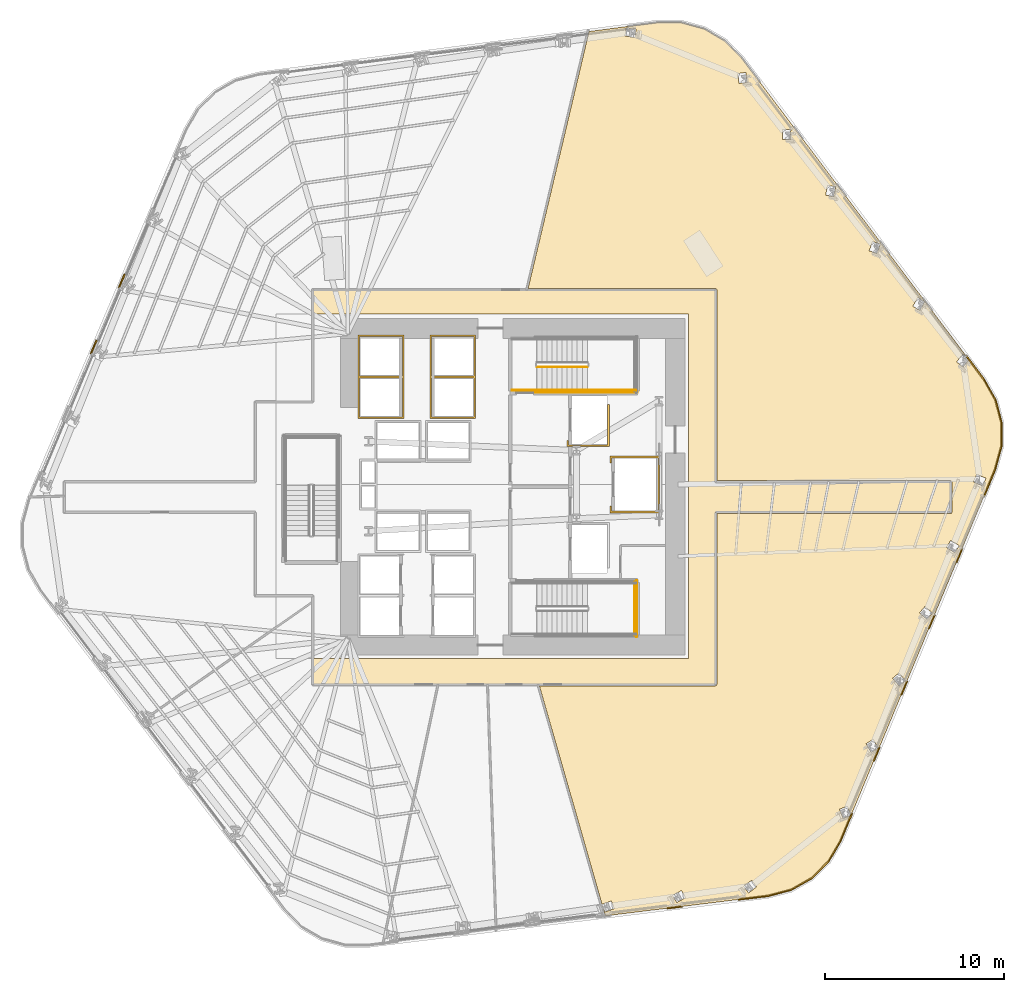
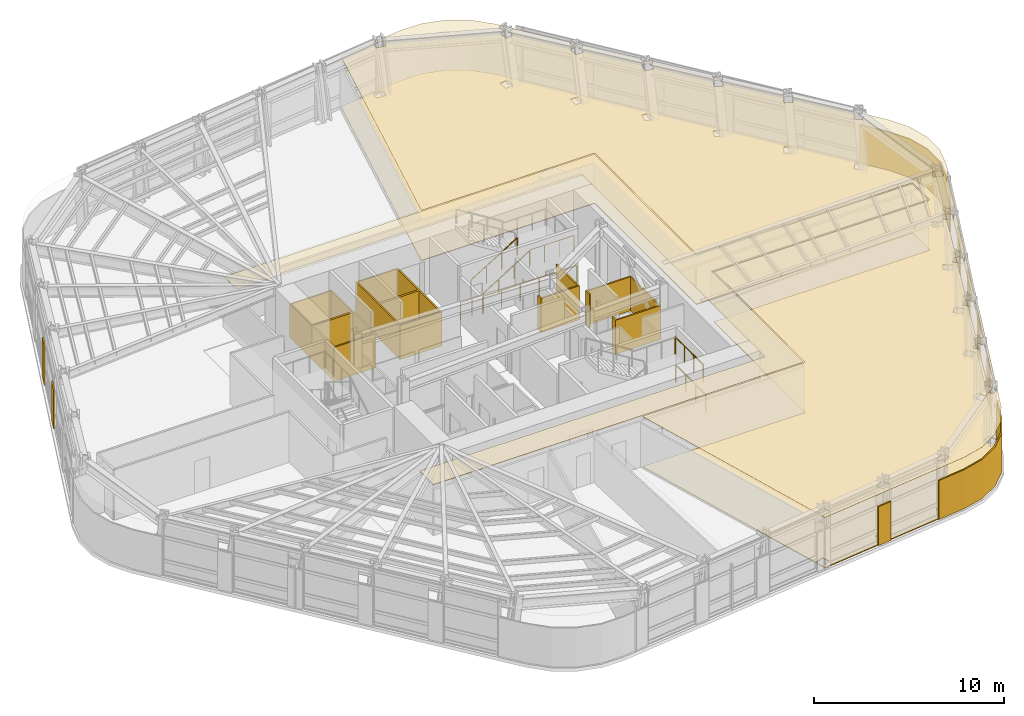
# One storey, part 12 of 16: 16 coverings, 7 railings.
"""IFC4 building model written with IfcOpenShell, lengths in metres."""

import ifcopenshell
import ifcopenshell.guid

model = None  # the IFC model being written
_history = None  # IfcOwnerHistory: only IFC2X3 demands one
_inside = {}  # id of a spatial element -> (the spatial element, [elements in it])
_under = {}  # id of a project, library or spatial element -> (it, [spatial elements below it])
_declared = {}  # id of a project -> (the project, [libraries it declares])
_typed = {}  # id of a type object -> (the type object, [elements of that type])
_made_of = {}  # id of a material, layer set ... -> (it, [elements and type objects made of it])


def new_model(schema):
    """Start an empty IFC model of exactly this schema.

    Asked for "IFC4X3", IfcOpenShell would pick the latest addendum, in which some entities
    have other attributes; the version numbers below select the first issue.
    IFC2X3 requires an IfcOwnerHistory on every rooted entity: one is made here for all.
    """
    global model, _history
    if schema == "IFC4X3":
        model = ifcopenshell.file(schema_version=(4, 3, 0, 0))
    else:
        model = ifcopenshell.file(schema=schema)
    _inside.clear()
    _under.clear()
    _declared.clear()
    _typed.clear()
    _made_of.clear()
    _history = None
    if model.schema == "IFC2X3":
        org = make("IfcOrganization", Name="unknown")
        user = make(
            "IfcPersonAndOrganization",
            ThePerson=make("IfcPerson", FamilyName="unknown"),
            TheOrganization=org,
        )
        app = make(
            "IfcApplication",
            ApplicationDeveloper=org,
            Version="unknown",
            ApplicationFullName="unknown",
            ApplicationIdentifier="unknown",
        )
        _history = make(
            "IfcOwnerHistory",
            OwningUser=user,
            OwningApplication=app,
            ChangeAction="ADDED",
            CreationDate=0,
        )
    return model


def make(cls, **values):
    """One entity of the class cls with the attributes given. An attribute that is None is left unset."""
    return model.create_entity(
        cls, **{name: value for name, value in values.items() if value is not None}
    )


def rooted(cls, **values):
    """An entity with a GlobalId (a new one), such as an element, a storey or a relation."""
    return make(cls, GlobalId=ifcopenshell.guid.new(), OwnerHistory=_history, **values)


def si_unit(unit_type, name, prefix=None):
    """IfcSIUnit, for example si_unit("LENGTHUNIT", "METRE", prefix="MILLI")."""
    return make("IfcSIUnit", UnitType=unit_type, Prefix=prefix, Name=name)


def assignment(units):
    """IfcUnitAssignment: the units of a project."""
    return None if units is None else make("IfcUnitAssignment", Units=units)


def point(xyz):
    """IfcCartesianPoint."""
    return None if xyz is None else make("IfcCartesianPoint", Coordinates=xyz)


def direction(xyz):
    """IfcDirection."""
    return None if xyz is None else make("IfcDirection", DirectionRatios=xyz)


def frame(location, z_axis=None, x_axis=None):
    """IfcAxis2Placement3D, a coordinate frame: its origin and axes. An axis left out is left unset."""
    return make(
        "IfcAxis2Placement3D",
        Location=point(location),
        Axis=direction(z_axis),
        RefDirection=direction(x_axis),
    )


def frame_2d(location, x_axis=None):
    """IfcAxis2Placement2D, a coordinate frame in the plane: its origin and x axis."""
    return make(
        "IfcAxis2Placement2D", Location=point(location), RefDirection=direction(x_axis)
    )


def origin():
    """The frame at (0, 0, 0) with its axes left unset."""
    return frame((0.0, 0.0, 0.0))


def origin_2d():
    """The frame at (0, 0) in the plane with its x axis left unset."""
    return frame_2d((0.0, 0.0))


def place(relative_to, where):
    """IfcLocalPlacement: puts the frame where relative to a parent placement (None: the world)."""
    return make(
        "IfcLocalPlacement", PlacementRelTo=relative_to, RelativePlacement=where
    )


def context(
    kind, dimensions, precision=None, world=None, true_north=None, identifier=None
):
    """IfcGeometricRepresentationContext, for example the 3D "Model" context."""
    return make(
        "IfcGeometricRepresentationContext",
        ContextIdentifier=identifier,
        ContextType=kind,
        CoordinateSpaceDimension=dimensions,
        Precision=precision,
        WorldCoordinateSystem=world,
        TrueNorth=true_north,
    )


def subcontext(parent, identifier, kind, view, scale=None):
    """IfcGeometricRepresentationSubContext, for example "Body" below "Model"."""
    return make(
        "IfcGeometricRepresentationSubContext",
        ContextIdentifier=identifier,
        ContextType=kind,
        ParentContext=parent,
        TargetScale=scale,
        TargetView=view,
    )


def project(units=None, contexts=None):
    """IfcProject with its units and contexts."""
    return rooted(
        "IfcProject",
        Name="project",
        RepresentationContexts=contexts,
        UnitsInContext=assignment(units),
    )


def spatial(cls, under=None, at=None, **own):
    """A site, building, storey or space (cls), placed at a placement, below another one or the project."""
    s = rooted(cls, ObjectPlacement=at, **own)
    if under is not None:
        _under.setdefault(under.id(), (under, []))[1].append(s)
    return s


def polyline(points):
    """IfcPolyline through the points."""
    return make("IfcPolyline", Points=[point(p) for p in points])


def profile(cls, at=None, kind="AREA", **sizes):
    """A parametric profile (cls). Its sizes go by their IFC names, for example OverallWidth=200.0."""
    return make(cls, ProfileType=kind, Position=at, **sizes)


def circle(**sizes):
    """IfcCircleProfileDef."""
    return profile("IfcCircleProfileDef", **sizes)


def outline(outer, holes=None, kind="AREA"):
    """IfcArbitraryClosedProfileDef: a profile drawn as a closed curve; with holes, ...WithVoids."""
    if holes is None:
        return make("IfcArbitraryClosedProfileDef", ProfileType=kind, OuterCurve=outer)
    return make(
        "IfcArbitraryProfileDefWithVoids",
        ProfileType=kind,
        OuterCurve=outer,
        InnerCurves=holes,
    )


def extrude(swept, where, along, depth):
    """IfcExtrudedAreaSolid: the profile swept, set in the frame where, extruded along a direction by depth."""
    return make(
        "IfcExtrudedAreaSolid",
        SweptArea=swept,
        Position=where,
        ExtrudedDirection=direction(along),
        Depth=depth,
    )


def shape(context_of_items, identifier, shape_type, items):
    """IfcShapeRepresentation: the items that make up one representation, for example the "Body"."""
    return make(
        "IfcShapeRepresentation",
        ContextOfItems=context_of_items,
        RepresentationIdentifier=identifier,
        RepresentationType=shape_type,
        Items=items,
    )


def material(Name=None, Category=None):
    """IfcMaterial."""
    return make("IfcMaterial", Name=Name, Category=Category)


def layer(
    of_material, thickness, ventilated=None, Name=None, Category=None, Priority=None
):
    """IfcMaterialLayer: one layer of a wall or slab, of a material (None: an air gap)."""
    return make(
        "IfcMaterialLayer",
        Material=of_material,
        LayerThickness=thickness,
        IsVentilated=ventilated,
        Name=Name,
        Category=Category,
        Priority=Priority,
    )


def layer_set(layers, Name=None):
    """IfcMaterialLayerSet."""
    return make("IfcMaterialLayerSet", MaterialLayers=layers, LayerSetName=Name)


def made_of(thing, what):
    """Note that an element or type object is made of a material, layer set ...; save() writes the relation."""
    if what is not None:
        _made_of.setdefault(what.id(), (what, []))[1].append(thing)
    return thing


def type_object(cls, material=None, **own):
    """A type object (cls), such as IfcWallType, which elements share."""
    return made_of(rooted(cls, **own), material)


def element(
    cls,
    number,
    at=None,
    inside=None,
    cuts=None,
    type_object=None,
    material=None,
    context=None,
    identifier="Body",
    shape_type=None,
    held_by="IfcProductDefinitionShape",
    body=None,
    shapes=None,
    **own,
):
    """One element of the class cls, such as IfcWall. Its Tag is "e" and its number.

    at: its placement. inside: the storey or other place that contains it. cuts: it is an
    opening in that element (IfcRelVoidsElement). A single representation is given by context,
    identifier, shape_type and body (its items); several are given by shapes. held_by: the class
    of the entity that holds the representations. save() writes the other relations.
    """
    e = rooted(cls, Tag="e%d" % number, ObjectPlacement=at, **own)
    if body is not None:
        shapes = [shape(context, identifier, shape_type, body)]
    if shapes is not None:
        e.Representation = make(held_by, Representations=shapes)
    if inside is not None:
        _inside.setdefault(inside.id(), (inside, []))[1].append(e)
    if cuts is not None:
        rooted(
            "IfcRelVoidsElement", RelatingBuildingElement=cuts, RelatedOpeningElement=e
        )
    if type_object is not None:
        _typed.setdefault(type_object.id(), (type_object, []))[1].append(e)
    return made_of(e, material)


def aggregate(whole, parts):
    """IfcRelAggregates: a whole, such as a stair, and the parts it consists of."""
    return rooted("IfcRelAggregates", RelatingObject=whole, RelatedObjects=parts)


def save(model, path):
    """Write the relations noted so far, then the file.

    IfcRelAggregates (storeys below a building ...), IfcRelContainedInSpatialStructure (elements
    in a storey), IfcRelDefinesByType, IfcRelAssociatesMaterial and IfcRelDeclares: one each for
    every whole, place, type object, material and project.
    """
    for whole, parts in _under.values():
        aggregate(whole, parts)
    for where, things in _inside.values():
        rooted(
            "IfcRelContainedInSpatialStructure",
            RelatedElements=things,
            RelatingStructure=where,
        )
    for kind, things in _typed.values():
        rooted("IfcRelDefinesByType", RelatedObjects=things, RelatingType=kind)
    for what, things in _made_of.values():
        rooted("IfcRelAssociatesMaterial", RelatedObjects=things, RelatingMaterial=what)
    for by, libraries in _declared.values():
        rooted("IfcRelDeclares", RelatingContext=by, RelatedDefinitions=libraries)
    model.write(path)


model = new_model("IFC4")

# Units and contexts
model_context = context("Model", 3, precision=1e-05, world=origin(), true_north=direction((0.0, 1.0)))
body_context = subcontext(model_context, "Body", "Model", "MODEL_VIEW")
ifc_project = project(units=[si_unit("LENGTHUNIT", "METRE"), si_unit("AREAUNIT", "SQUARE_METRE"), si_unit("VOLUMEUNIT", "CUBIC_METRE"), si_unit("PLANEANGLEUNIT", "RADIAN"), si_unit("MASSUNIT", "GRAM", prefix="KILO")], contexts=[model_context])

# Site, building, storey
site_placement = place(None, origin())
site = spatial("IfcSite", under=ifc_project, at=site_placement, CompositionType="ELEMENT")
building_placement = place(site_placement, origin())
building = spatial("IfcBuilding", under=site, at=building_placement, Name="Valkerne Bourse Tower", CompositionType="ELEMENT")
storey_placement = place(building_placement, frame((0.0, 0.0, 54.39990234375)))
storey = spatial("IfcBuildingStorey", under=building, at=storey_placement, Name="L13", CompositionType="ELEMENT", Elevation=54.39990234375)

# Coverings
ifc_material_1 = material(Name="Mineral Fiber Acoustic Ceiling Tile", Category="acoustic")
ifc_layer_1 = layer(ifc_material_1, 0.02490234375)
ifc_layer_set_1 = layer_set([ifc_layer_1], Name="Mineral Fiber Acoustic Ceiling Tile")
covering_type_1 = type_object("IfcCoveringType", Name="COV-CEIL-ACT", PredefinedType="CEILING", material=ifc_layer_set_1)
covering_1_placement = place(storey_placement, frame((0.0, 0.0, 3.22998046875)))
element("IfcCovering", 1, at=covering_1_placement, inside=storey, type_object=covering_type_1, Name="L13 Suspended Ceiling 08", PredefinedType="CEILING", context=body_context, shape_type="SweptSolid", body=[
    extrude(outline(polyline([(62.306640625, 4.406982421875), (61.021240234375, 4.069580078125), (51.955322265625, 2.95751953125), (51.771484375, 3.598876953125), (51.9248046875, 3.168212890625), (51.927978515625, 3.1689453125), (52.44970703125, 3.355224609375), (52.29638671875, 3.786376953125), (52.29296875, 3.78564453125), (51.771484375, 3.599365234375), (48.2783203125, 15.781005859375), (58.1005859375, 15.781005859375), (58.130126953125, 15.787841796875), (58.158935546875, 15.81396484375), (58.1689453125, 15.849365234375), (58.1689453125, 25.381103515625), (71.2099609375, 25.381591796875), (71.2509765625, 25.403076171875), (71.268798828125, 25.446533203125), (71.266845703125, 27.16748046875), (71.24169921875, 27.205322265625), (71.20068359375, 27.218994140625), (58.1689453125, 27.218994140625), (58.1689453125, 37.850830078125), (58.151123046875, 37.896484375), (58.12890625, 37.91259765625), (58.100341796875, 37.9189453125), (47.64892578125, 37.9189453125), (51.0458984375, 52.249267578125), (54.871826171875, 52.74658203125), (56.20068359375, 52.739501953125), (57.4736328125, 52.391357421875), (58.61279296875, 51.7255859375), (59.547607421875, 50.78125), (72.1328125, 34.076171875), (71.880859375, 34.27001953125), (71.539794921875, 33.831787109375), (71.540771484375, 33.827880859375), (71.902099609375, 33.550048828125), (72.220703125, 33.95947265625), (73.040283203125, 32.87158203125), (73.698974609375, 31.716796875), (74.033935546875, 30.4404296875), (74.027099609375, 29.120849609375), (73.676025390625, 27.838623046875), (65.061279296875, 7.13623046875), (64.390625, 5.98876953125), (63.452880859375, 5.060791015625), (62.306640625, 4.406982421875)]), holes=[polyline([(53.66845703125, 52.3740234375), (53.664794921875, 52.375), (53.116455078125, 52.448974609375), (53.054443359375, 51.99560546875), (53.05810546875, 51.99462890625), (53.606689453125, 51.920654296875), (53.66845703125, 52.3740234375)]), polyline([(56.42236328125, 3.96533203125), (56.20166015625, 4.3662109375), (56.198486328125, 4.36474609375), (55.713623046875, 4.097412109375), (55.93408203125, 3.6962890625), (55.9375, 3.69775390625), (56.42236328125, 3.96533203125)]), polyline([(59.9462890625, 4.236083984375), (60.385498046875, 4.572998046875), (60.107666015625, 4.936279296875), (60.104248046875, 4.9345703125), (59.6650390625, 4.597900390625), (59.94287109375, 4.234375), (59.9462890625, 4.236083984375)]), polyline([(65.6455078125, 8.552734375), (65.648193359375, 8.555419921875), (65.436279296875, 9.069580078125), (65.014404296875, 8.897705078125), (65.01171875, 8.89501953125), (65.2236328125, 8.380859375), (65.6455078125, 8.552734375)]), polyline([(67.168701171875, 12.30859375), (66.8828125, 12.78564453125), (66.4912109375, 12.552978515625), (66.489013671875, 12.550048828125), (66.77490234375, 12.072998046875), (67.16650390625, 12.305908203125), (67.168701171875, 12.30859375)]), polyline([(68.680908203125, 16.06591796875), (68.6826171875, 16.069091796875), (68.323486328125, 16.493896484375), (67.974365234375, 16.201171875), (67.972900390625, 16.197998046875), (68.331787109375, 15.773193359375), (68.680908203125, 16.06591796875)]), polyline([(70.18603515625, 19.82958984375), (70.187255859375, 19.832763671875), (69.762939453125, 20.1923828125), (69.467041015625, 19.845947265625), (69.466064453125, 19.842529296875), (69.89013671875, 19.48291015625), (70.18603515625, 19.82958984375)]), polyline([(71.68212890625, 23.594970703125), (71.20556640625, 23.881591796875), (70.96923828125, 23.4921875), (70.96875, 23.48876953125), (71.4453125, 23.201904296875), (71.681640625, 23.591552734375), (71.68212890625, 23.594970703125)]), polyline([(73.169189453125, 27.347900390625), (73.169189453125, 27.351806640625), (72.6552734375, 27.564208984375), (72.4794921875, 27.144287109375), (72.4794921875, 27.140380859375), (72.993408203125, 26.927978515625), (73.169189453125, 27.347900390625)]), polyline([(69.767578125, 37.193359375), (69.36865234375, 37.41455078125), (69.0966796875, 36.93017578125), (69.098388671875, 36.9267578125), (69.4970703125, 36.70556640625), (69.76904296875, 37.190185546875), (69.767578125, 37.193359375)]), polyline([(67.28515625, 40.392578125), (67.283203125, 40.395751953125), (66.85400390625, 40.5498046875), (66.663818359375, 40.02783203125), (66.66552734375, 40.02490234375), (67.094970703125, 39.87060546875), (67.28515625, 40.392578125)]), polyline([(64.792236328125, 43.591796875), (64.7900390625, 43.59423828125), (64.341064453125, 43.67529296875), (64.239501953125, 43.129150390625), (64.241943359375, 43.126708984375), (64.69091796875, 43.04541015625), (64.792236328125, 43.591796875)]), polyline([(62.290283203125, 46.785400390625), (61.83447265625, 46.79345703125), (61.822021484375, 46.238037109375), (61.82470703125, 46.235595703125), (62.28076171875, 46.227783203125), (62.293212890625, 46.783203125), (62.290283203125, 46.785400390625)]), polyline([(59.86181640625, 49.414306640625), (59.79150390625, 49.96533203125), (59.788330078125, 49.96728515625), (59.336181640625, 49.906982421875), (59.406494140625, 49.356201171875), (59.409912109375, 49.354248046875), (59.86181640625, 49.414306640625)])]), origin(), (0.0, 0.0, 1.0), 0.025146484375),
])
ifc_material_2 = material(Name="Bronze Anodised Aluminium AA 6063-T6", Category="aluminium")
ifc_layer_2 = layer(ifc_material_2, 0.030029296875)
ifc_layer_set_2 = layer_set([ifc_layer_2], Name="Bronze Anodised Aluminium AA 6063-T6")
covering_type_2 = type_object("IfcCoveringType", Name="COV-CEIL-METAL", PredefinedType="CEILING", material=ifc_layer_set_2)
covering_2_placement = place(storey_placement, frame((0.0, 0.0, 3.22998046875)))
element("IfcCovering", 2, at=covering_2_placement, inside=storey, type_object=covering_type_2, Name="L13 Suspended Ceiling 01", PredefinedType="CEILING", context=body_context, shape_type="SweptSolid", body=[
    extrude(outline(polyline([(71.196044921875, 27.14599609375), (71.196044921875, 25.4541015625), (58.095947265625, 25.4541015625), (58.095947265625, 15.85400390625), (35.654052734375, 15.85400390625), (35.654052734375, 17.300048828125), (56.60009765625, 17.300048828125), (56.60009765625, 36.5), (35.654052734375, 36.5), (35.654052734375, 37.845947265625), (58.095947265625, 37.845947265625), (58.095947265625, 27.14599609375), (71.196044921875, 27.14599609375)])), origin(), (0.0, 0.0, 1.0), 0.025146484375),
])
ifc_layer_3 = layer(ifc_material_2, 0.06005859375)
ifc_layer_set_3 = layer_set([ifc_layer_3], Name="Bronze Anodised Aluminium AA 6063-T6")
covering_type_3 = type_object("IfcCoveringType", Name="COV-CRN-ALUM", PredefinedType="CLADDING", material=ifc_layer_set_3)
covering_3_placement = place(storey_placement, origin())
element("IfcCovering", 3, at=covering_3_placement, inside=storey, type_object=covering_type_3, Name="L13 Wind-Shaped Corner Aluminium Cladding 01", PredefinedType="CLADDING", context=body_context, shape_type="SweptSolid", body=[
    extrude(outline(polyline([(64.42578125, 5.961669921875), (63.479736328125, 5.025390625), (62.323486328125, 4.36572265625), (61.029541015625, 4.0263671875), (59.3740234375, 3.8232421875), (59.364013671875, 3.902587890625), (61.0146484375, 4.105224609375), (62.29296875, 4.4404296875), (63.430908203125, 5.089599609375), (64.362060546875, 6.010986328125), (65.02880859375, 7.152099609375), (65.667724609375, 8.6875), (65.741455078125, 8.656494140625), (65.1005859375, 7.116455078125), (64.42578125, 5.961669921875)])), origin(), (0.0, 0.0, 1.0), 2.5),
])
covering_4_placement = place(storey_placement, origin())
element("IfcCovering", 4, at=covering_4_placement, inside=storey, type_object=covering_type_3, Name="L13 Wind-Shaped Corner Aluminium Cladding 02", PredefinedType="CLADDING", context=body_context, shape_type="SweptSolid", body=[
    extrude(outline(polyline([(55.40771484375, 3.3369140625), (55.397705078125, 3.416015625), (56.2314453125, 3.518310546875), (56.241455078125, 3.439208984375), (55.40771484375, 3.3369140625)])), origin(), (0.0, 0.0, 1.0), 2.5),
])
covering_5_placement = place(storey_placement, origin())
element("IfcCovering", 5, at=covering_5_placement, inside=storey, type_object=covering_type_3, Name="L13 Wind-Shaped Corner Aluminium Cladding 13", PredefinedType="CLADDING", context=body_context, shape_type="SweptSolid", body=[
    extrude(outline(polyline([(23.56494140625, 35.055419921875), (23.638671875, 35.0244140625), (23.310302734375, 34.251220703125), (23.23681640625, 34.2822265625), (23.56494140625, 35.055419921875)])), origin(), (0.0, 0.0, 1.0), 2.5),
])
covering_6_placement = place(storey_placement, origin())
element("IfcCovering", 6, at=covering_6_placement, inside=storey, type_object=covering_type_3, Name="L13 Wind-Shaped Corner Aluminium Cladding 14", PredefinedType="CLADDING", context=body_context, shape_type="SweptSolid", body=[
    extrude(outline(polyline([(25.126708984375, 38.7333984375), (25.200439453125, 38.702392578125), (24.872314453125, 37.929443359375), (24.79833984375, 37.96044921875), (25.126708984375, 38.7333984375)])), origin(), (0.0, 0.0, 1.0), 2.5),
])
covering_7_placement = place(storey_placement, origin())
element("IfcCovering", 7, at=covering_7_placement, inside=storey, type_object=covering_type_3, Name="L13 Wind-Shaped Corner Aluminium Cladding 26", PredefinedType="CLADDING", context=body_context, shape_type="SweptSolid", body=[
    extrude(outline(polyline([(73.0771484375, 32.895751953125), (73.739990234375, 31.733642578125), (74.077880859375, 30.446044921875), (74.071044921875, 29.114990234375), (73.7177734375, 27.82421875), (73.09521484375, 26.327880859375), (73.021240234375, 26.35888671875), (73.64208984375, 27.850341796875), (73.990966796875, 29.125732421875), (73.997802734375, 30.435791015625), (73.665283203125, 31.703125), (73.01025390625, 32.8515625), (72.0380859375, 34.14208984375), (72.101806640625, 34.1904296875), (73.0771484375, 32.895751953125)])), origin(), (0.0, 0.0, 1.0), 2.5),
])
covering_8_placement = place(storey_placement, origin())
element("IfcCovering", 8, at=covering_8_placement, inside=storey, type_object=covering_type_3, Name="L13 Wind-Shaped Corner Aluminium Cladding 27", PredefinedType="CLADDING", context=body_context, shape_type="SweptSolid", body=[
    extrude(outline(polyline([(71.559814453125, 22.638427734375), (71.486083984375, 22.66943359375), (71.808837890625, 23.44482421875), (71.882568359375, 23.413818359375), (71.559814453125, 22.638427734375)])), origin(), (0.0, 0.0, 1.0), 2.5),
])
covering_9_placement = place(storey_placement, origin())
element("IfcCovering", 9, at=covering_9_placement, inside=storey, type_object=covering_type_3, Name="L13 Wind-Shaped Corner Aluminium Cladding 28", PredefinedType="CLADDING", context=body_context, shape_type="SweptSolid", body=[
    extrude(outline(polyline([(70.024658203125, 18.94921875), (69.95068359375, 18.97998046875), (70.2734375, 19.755615234375), (70.347412109375, 19.724609375), (70.024658203125, 18.94921875)])), origin(), (0.0, 0.0, 1.0), 2.5),
])
covering_10_placement = place(storey_placement, origin())
element("IfcCovering", 10, at=covering_10_placement, inside=storey, type_object=covering_type_3, Name="L13 Wind-Shaped Corner Aluminium Cladding 29", PredefinedType="CLADDING", context=body_context, shape_type="SweptSolid", body=[
    extrude(outline(polyline([(68.4892578125, 15.259765625), (68.41552734375, 15.290771484375), (68.73828125, 16.066162109375), (68.81201171875, 16.03515625), (68.4892578125, 15.259765625)])), origin(), (0.0, 0.0, 1.0), 2.5),
])
covering_11_placement = place(storey_placement, origin())
element("IfcCovering", 11, at=covering_11_placement, inside=storey, type_object=covering_type_3, Name="L13 Wind-Shaped Corner Aluminium Cladding 30", PredefinedType="CLADDING", context=body_context, shape_type="SweptSolid", body=[
    extrude(outline(polyline([(66.9541015625, 11.5703125), (66.88037109375, 11.601318359375), (67.202880859375, 12.376953125), (67.27685546875, 12.345947265625), (66.9541015625, 11.5703125)])), origin(), (0.0, 0.0, 1.0), 2.5),
])
ifc_material_3 = material(Name="Galvanised Painted Steel", Category="steel")
ifc_layer_4 = layer(ifc_material_3, 0.044921875)
ifc_layer_set_4 = layer_set([ifc_layer_4], Name="Galvanised Painted Steel")
covering_type_4 = type_object("IfcCoveringType", Name="COV-FLR-RAF", PredefinedType="FLOORING", material=ifc_layer_set_4)
covering_12_placement = place(storey_placement, origin())
element("IfcCovering", 12, at=covering_12_placement, inside=storey, type_object=covering_type_4, Name="L13 Floor Finish 08", PredefinedType="FLOORING", context=body_context, shape_type="SweptSolid", body=[
    extrude(outline(polyline([(62.306640625, 4.406982421875), (61.021240234375, 4.069580078125), (51.955322265625, 2.95751953125), (51.771484375, 3.598876953125), (51.9248046875, 3.168212890625), (51.927978515625, 3.1689453125), (52.44970703125, 3.355224609375), (52.29638671875, 3.786376953125), (52.29296875, 3.78564453125), (51.771484375, 3.599365234375), (48.2783203125, 15.781005859375), (58.1005859375, 15.781005859375), (58.130126953125, 15.787841796875), (58.158935546875, 15.81396484375), (58.1689453125, 15.849365234375), (58.1689453125, 25.381103515625), (71.2099609375, 25.381591796875), (71.2509765625, 25.403076171875), (71.268798828125, 25.446533203125), (71.266845703125, 27.16748046875), (71.24169921875, 27.205322265625), (71.20068359375, 27.218994140625), (58.1689453125, 27.218994140625), (58.1689453125, 37.850830078125), (58.151123046875, 37.896484375), (58.12890625, 37.91259765625), (58.100341796875, 37.9189453125), (47.64892578125, 37.9189453125), (51.0458984375, 52.249267578125), (54.871826171875, 52.74658203125), (56.20068359375, 52.739501953125), (57.4736328125, 52.391357421875), (58.61279296875, 51.7255859375), (59.547607421875, 50.78125), (72.1328125, 34.076171875), (71.880859375, 34.27001953125), (71.539794921875, 33.831787109375), (71.540771484375, 33.827880859375), (71.902099609375, 33.550048828125), (72.220703125, 33.95947265625), (73.040283203125, 32.87158203125), (73.698974609375, 31.716796875), (74.033935546875, 30.4404296875), (74.027099609375, 29.120849609375), (73.676025390625, 27.838623046875), (65.061279296875, 7.13623046875), (64.390625, 5.98876953125), (63.452880859375, 5.060791015625), (62.306640625, 4.406982421875)]), holes=[polyline([(53.66845703125, 52.3740234375), (53.664794921875, 52.375), (53.116455078125, 52.448974609375), (53.054443359375, 51.99560546875), (53.05810546875, 51.99462890625), (53.606689453125, 51.920654296875), (53.66845703125, 52.3740234375)]), polyline([(56.42236328125, 3.96533203125), (56.20166015625, 4.3662109375), (56.198486328125, 4.36474609375), (55.713623046875, 4.097412109375), (55.93408203125, 3.6962890625), (55.9375, 3.69775390625), (56.42236328125, 3.96533203125)]), polyline([(59.9462890625, 4.236083984375), (60.385498046875, 4.572998046875), (60.107666015625, 4.936279296875), (60.104248046875, 4.9345703125), (59.6650390625, 4.597900390625), (59.94287109375, 4.234375), (59.9462890625, 4.236083984375)]), polyline([(65.6455078125, 8.552734375), (65.648193359375, 8.555419921875), (65.436279296875, 9.069580078125), (65.014404296875, 8.897705078125), (65.01171875, 8.89501953125), (65.2236328125, 8.380859375), (65.6455078125, 8.552734375)]), polyline([(67.168701171875, 12.30859375), (66.8828125, 12.78564453125), (66.4912109375, 12.552978515625), (66.489013671875, 12.550048828125), (66.77490234375, 12.072998046875), (67.16650390625, 12.305908203125), (67.168701171875, 12.30859375)]), polyline([(68.680908203125, 16.06591796875), (68.6826171875, 16.069091796875), (68.323486328125, 16.493896484375), (67.974365234375, 16.201171875), (67.972900390625, 16.197998046875), (68.331787109375, 15.773193359375), (68.680908203125, 16.06591796875)]), polyline([(70.18603515625, 19.82958984375), (70.187255859375, 19.832763671875), (69.762939453125, 20.1923828125), (69.467041015625, 19.845947265625), (69.466064453125, 19.842529296875), (69.89013671875, 19.48291015625), (70.18603515625, 19.82958984375)]), polyline([(71.68212890625, 23.594970703125), (71.20556640625, 23.881591796875), (70.96923828125, 23.4921875), (70.96875, 23.48876953125), (71.4453125, 23.201904296875), (71.681640625, 23.591552734375), (71.68212890625, 23.594970703125)]), polyline([(73.169189453125, 27.347900390625), (73.169189453125, 27.351806640625), (72.6552734375, 27.564208984375), (72.4794921875, 27.144287109375), (72.4794921875, 27.140380859375), (72.993408203125, 26.927978515625), (73.169189453125, 27.347900390625)]), polyline([(69.767578125, 37.193359375), (69.36865234375, 37.41455078125), (69.0966796875, 36.93017578125), (69.098388671875, 36.9267578125), (69.4970703125, 36.70556640625), (69.76904296875, 37.190185546875), (69.767578125, 37.193359375)]), polyline([(67.28515625, 40.392578125), (67.283203125, 40.395751953125), (66.85400390625, 40.5498046875), (66.663818359375, 40.02783203125), (66.66552734375, 40.02490234375), (67.094970703125, 39.87060546875), (67.28515625, 40.392578125)]), polyline([(64.792236328125, 43.591796875), (64.7900390625, 43.59423828125), (64.341064453125, 43.67529296875), (64.239501953125, 43.129150390625), (64.241943359375, 43.126708984375), (64.69091796875, 43.04541015625), (64.792236328125, 43.591796875)]), polyline([(62.290283203125, 46.785400390625), (61.83447265625, 46.79345703125), (61.822021484375, 46.238037109375), (61.82470703125, 46.235595703125), (62.28076171875, 46.227783203125), (62.293212890625, 46.783203125), (62.290283203125, 46.785400390625)]), polyline([(59.86181640625, 49.414306640625), (59.79150390625, 49.96533203125), (59.788330078125, 49.96728515625), (59.336181640625, 49.906982421875), (59.406494140625, 49.356201171875), (59.409912109375, 49.354248046875), (59.86181640625, 49.414306640625)])]), origin(), (0.0, 0.0, 1.0), 0.045166015625),
])
ifc_material_4 = material(Name="Gypsum Shaftwall Liner Board", Category="gypsum")
ifc_layer_5 = layer(ifc_material_4, 0.080078125)
ifc_layer_set_5 = layer_set([ifc_layer_5], Name="Gypsum Shaftwall Liner Board")
covering_type_5 = type_object("IfcCoveringType", Name="COV-SHF-CLAD", PredefinedType="CLADDING", material=ifc_layer_set_5)
covering_13_placement = place(storey_placement, origin())
element("IfcCovering", 13, at=covering_13_placement, inside=storey, type_object=covering_type_5, Name="L13 Hoistway & Riser Shaftwall Liner 05", PredefinedType="CLADDING", context=body_context, shape_type="SweptSolid", body=[
    extrude(outline(polyline([(38.169921875, 35.330078125), (40.72998046875, 35.330078125), (40.72998046875, 33.030029296875), (40.72998046875, 32.969970703125), (40.72998046875, 30.669921875), (38.169921875, 30.669921875), (38.169921875, 32.969970703125), (38.169921875, 33.030029296875), (38.169921875, 35.330078125)]), holes=[polyline([(38.260009765625, 32.93994140625), (38.260009765625, 30.760009765625), (40.639892578125, 30.760009765625), (40.639892578125, 32.93994140625), (38.260009765625, 32.93994140625)]), polyline([(38.260009765625, 35.239990234375), (38.260009765625, 33.06005859375), (40.639892578125, 33.06005859375), (40.639892578125, 35.239990234375), (38.260009765625, 35.239990234375)])]), origin(), (0.0, 0.0, 1.0), 2.18017578125),
])
covering_14_placement = place(storey_placement, origin())
element("IfcCovering", 14, at=covering_14_placement, inside=storey, type_object=covering_type_5, Name="L13 Hoistway & Riser Shaftwall Liner 08", PredefinedType="CLADDING", context=body_context, shape_type="SweptSolid", body=[
    extrude(outline(polyline([(54.97998046875, 25.419921875), (52.219970703125, 25.419921875), (52.219970703125, 25.81787109375), (52.227783203125, 25.814208984375), (52.269287109375, 25.79931640625), (52.31005859375, 25.789306640625), (52.31005859375, 25.510009765625), (54.889892578125, 25.510009765625), (54.889892578125, 28.489990234375), (52.31005859375, 28.489990234375), (52.31005859375, 28.210693359375), (52.269287109375, 28.20068359375), (52.227783203125, 28.185791015625), (52.219970703125, 28.18212890625), (52.219970703125, 28.580078125), (54.97998046875, 28.580078125), (54.97998046875, 25.419921875)])), origin(), (0.0, 0.0, 1.0), 2.18017578125),
])
covering_15_placement = place(storey_placement, origin())
element("IfcCovering", 15, at=covering_15_placement, inside=storey, type_object=covering_type_5, Name="L13 Hoistway & Riser Shaftwall Liner 10", PredefinedType="CLADDING", context=body_context, shape_type="SweptSolid", body=[
    extrude(outline(polyline([(49.820068359375, 29.1201171875), (49.820068359375, 29.468017578125), (49.827880859375, 29.46435546875), (49.869384765625, 29.449462890625), (49.909912109375, 29.439208984375), (49.909912109375, 29.2099609375), (52.090087890625, 29.2099609375), (52.090087890625, 31.449951171875), (52.179931640625, 31.449951171875), (52.179931640625, 29.1201171875), (49.820068359375, 29.1201171875)])), origin(), (0.0, 0.0, 1.0), 2.18017578125),
])
covering_16_placement = place(storey_placement, origin())
element("IfcCovering", 16, at=covering_16_placement, inside=storey, type_object=covering_type_5, Name="L13 Hoistway & Riser Shaftwall Liner 11", PredefinedType="CLADDING", context=body_context, shape_type="SweptSolid", body=[
    extrude(outline(polyline([(44.72998046875, 35.330078125), (44.72998046875, 33.030029296875), (44.72998046875, 32.969970703125), (44.72998046875, 30.669921875), (42.169921875, 30.669921875), (42.169921875, 32.969970703125), (42.169921875, 33.030029296875), (42.169921875, 35.330078125), (44.72998046875, 35.330078125)]), holes=[polyline([(42.260009765625, 30.760009765625), (44.639892578125, 30.760009765625), (44.639892578125, 32.93994140625), (42.260009765625, 32.93994140625), (42.260009765625, 30.760009765625)]), polyline([(42.260009765625, 33.06005859375), (44.639892578125, 33.06005859375), (44.639892578125, 35.239990234375), (42.260009765625, 35.239990234375), (42.260009765625, 33.06005859375)])]), origin(), (0.0, 0.0, 1.0), 2.18017578125),
])

# Railings
railing_type_1 = type_object("IfcRailingType", Name="RLG-ST-GUARD-1120", PredefinedType="GUARDRAIL", material=ifc_material_3)
railing_1_placement = place(storey_placement, frame((53.60009765625, 18.60009765625, 1.900146484375)))
element("IfcRailing", 17, at=railing_1_placement, inside=storey, type_object=railing_type_1, Name="L13 ST-1 stair guard 5", PredefinedType="GUARDRAIL", context=body_context, shape_type="SweptSolid", body=[
    extrude(circle(Radius=0.02392578125, at=origin_2d()), frame((0.0, 0.0, 1.09619140625), z_axis=(0.0, 1.0, 0.0), x_axis=(-1.0, 0.0, 0.0)), (0.0, 0.0, 1.0), 2.949951171875),
    extrude(circle(Radius=0.02099609375, at=origin_2d()), origin(), (0.0, 0.0, 1.0), 1.072021484375),
    extrude(circle(Radius=0.02099609375, at=origin_2d()), frame((0.0, 0.9833984375, 0.0)), (0.0, 0.0, 1.0), 1.072021484375),
    extrude(circle(Radius=0.02099609375, at=origin_2d()), frame((0.0, 1.966552734375, 0.0)), (0.0, 0.0, 1.0), 1.072021484375),
    extrude(circle(Radius=0.02099609375, at=origin_2d()), frame((0.0, 2.949951171875, 0.0)), (0.0, 0.0, 1.0), 1.072021484375),
])
railing_2_placement = place(storey_placement, frame((53.699951171875, 18.5, 0.0)))
element("IfcRailing", 18, at=railing_2_placement, inside=storey, type_object=railing_type_1, Name="L13 ST-1 stair guard 12", PredefinedType="GUARDRAIL", context=body_context, shape_type="SweptSolid", body=[
    extrude(circle(Radius=0.02392578125, at=origin_2d()), frame((0.0, 0.0, 1.09619140625), z_axis=(0.0, 1.0, 0.0), x_axis=(-1.0, 0.0, 0.0)), (0.0, 0.0, 1.0), 3.14990234375),
    extrude(circle(Radius=0.02099609375, at=origin_2d()), origin(), (0.0, 0.0, 1.0), 1.072021484375),
    extrude(circle(Radius=0.02099609375, at=origin_2d()), frame((0.0, 1.050048828125, 0.0)), (0.0, 0.0, 1.0), 1.072021484375),
    extrude(circle(Radius=0.02099609375, at=origin_2d()), frame((0.0, 2.099853515625, 0.0)), (0.0, 0.0, 1.0), 1.072021484375),
    extrude(circle(Radius=0.02099609375, at=origin_2d()), frame((0.0, 3.14990234375, 0.0)), (0.0, 0.0, 1.0), 1.072021484375),
])
railing_3_placement = place(storey_placement, frame((48.14990234375, 33.550048828125, 0.1728515625)))
element("IfcRailing", 19, at=railing_3_placement, inside=storey, type_object=railing_type_1, Name="L13 ST-2 stair guard 1", PredefinedType="GUARDRAIL", context=body_context, shape_type="SweptSolid", body=[
    extrude(circle(Radius=0.02392578125, at=origin_2d()), frame((0.0, 0.0, 1.09619140625), z_axis=(0.851089632645, 0.0, 0.525020415988), x_axis=(0.0, 1.0, 0.0)), (0.0, 0.0, 1.0), 3.2900390625),
    extrude(circle(Radius=0.02099609375, at=origin_2d()), origin(), (0.0, 0.0, 1.0), 1.072021484375),
    extrude(circle(Radius=0.02099609375, at=origin_2d()), frame((0.933349609375, 0.0, 0.57568359375)), (0.0, 0.0, 1.0), 1.072021484375),
    extrude(circle(Radius=0.02099609375, at=origin_2d()), frame((1.86669921875, 0.0, 1.151611328125)), (0.0, 0.0, 1.0), 1.072021484375),
    extrude(circle(Radius=0.02099609375, at=origin_2d()), frame((2.800048828125, 0.0, 1.727294921875)), (0.0, 0.0, 1.0), 1.072021484375),
])
railing_4_placement = place(storey_placement, frame((50.949951171875, 32.25, 1.900146484375)))
element("IfcRailing", 20, at=railing_4_placement, inside=storey, type_object=railing_type_1, Name="L13 ST-2 stair guard 3", PredefinedType="GUARDRAIL", context=body_context, shape_type="SweptSolid", body=[
    extrude(circle(Radius=0.02392578125, at=origin_2d()), frame((0.0, 0.0, 1.09619140625), z_axis=(1.0, 0.0, 0.0), x_axis=(0.0, 1.0, 0.0)), (0.0, 0.0, 1.0), 2.699951171875),
    extrude(circle(Radius=0.02099609375, at=origin_2d()), origin(), (0.0, 0.0, 1.0), 1.072021484375),
    extrude(circle(Radius=0.02099609375, at=origin_2d()), frame((0.89990234375, 0.0, 0.0)), (0.0, 0.0, 1.0), 1.072021484375),
    extrude(circle(Radius=0.02099609375, at=origin_2d()), frame((1.800048828125, 0.0, 0.0)), (0.0, 0.0, 1.0), 1.072021484375),
    extrude(circle(Radius=0.02099609375, at=origin_2d()), frame((2.699951171875, 0.0, 0.0)), (0.0, 0.0, 1.0), 1.072021484375),
])
railing_5_placement = place(storey_placement, frame((46.75, 32.25, 0.0)))
element("IfcRailing", 21, at=railing_5_placement, inside=storey, type_object=railing_type_1, Name="L13 ST-2 stair guard 8", PredefinedType="GUARDRAIL", context=body_context, shape_type="SweptSolid", body=[
    extrude(circle(Radius=0.02392578125, at=origin_2d()), frame((0.0, 0.0, 1.09619140625), z_axis=(1.0, 0.0, 0.0), x_axis=(0.0, 1.0, 0.0)), (0.0, 0.0, 1.0), 1.39990234375),
    extrude(circle(Radius=0.02099609375, at=origin_2d()), origin(), (0.0, 0.0, 1.0), 1.072021484375),
    extrude(circle(Radius=0.02099609375, at=origin_2d()), frame((0.699951171875, 0.0, 0.0)), (0.0, 0.0, 1.0), 1.072021484375),
    extrude(circle(Radius=0.02099609375, at=origin_2d()), frame((1.39990234375, 0.0, 0.0)), (0.0, 0.0, 1.0), 1.072021484375),
])
railing_6_placement = place(storey_placement, frame((48.050048828125, 32.14990234375, 0.0)))
element("IfcRailing", 22, at=railing_6_placement, inside=storey, type_object=railing_type_1, Name="L13 ST-2 stair guard 10", PredefinedType="GUARDRAIL", context=body_context, shape_type="SweptSolid", body=[
    extrude(circle(Radius=0.02392578125, at=origin_2d()), frame((0.0, 0.0, 1.09619140625), z_axis=(1.0, 0.0, 0.0), x_axis=(0.0, 1.0, 0.0)), (0.0, 0.0, 1.0), 5.699951171875),
    extrude(circle(Radius=0.02099609375, at=origin_2d()), origin(), (0.0, 0.0, 1.0), 1.072021484375),
    extrude(circle(Radius=0.02099609375, at=origin_2d()), frame((1.139892578125, 0.0, 0.0)), (0.0, 0.0, 1.0), 1.072021484375),
    extrude(circle(Radius=0.02099609375, at=origin_2d()), frame((2.280029296875, 0.0, 0.0)), (0.0, 0.0, 1.0), 1.072021484375),
    extrude(circle(Radius=0.02099609375, at=origin_2d()), frame((3.419921875, 0.0, 0.0)), (0.0, 0.0, 1.0), 1.072021484375),
    extrude(circle(Radius=0.02099609375, at=origin_2d()), frame((4.56005859375, 0.0, 0.0)), (0.0, 0.0, 1.0), 1.072021484375),
    extrude(circle(Radius=0.02099609375, at=origin_2d()), frame((5.699951171875, 0.0, 0.0)), (0.0, 0.0, 1.0), 1.072021484375),
])
ifc_material_5 = material(Name="Stainless Steel AISI 316", Category="steel")
railing_type_2 = type_object("IfcRailingType", Name="RLG-ST-HANDRAIL-900", PredefinedType="HANDRAIL", material=ifc_material_5)
railing_7_placement = place(storey_placement, frame((48.14990234375, 32.25, 0.345458984375)))
element("IfcRailing", 23, at=railing_7_placement, inside=storey, type_object=railing_type_2, Name="L13 ST-2 stair handrail 1", PredefinedType="HANDRAIL", context=body_context, shape_type="SweptSolid", body=[
    extrude(circle(Radius=0.02392578125, at=origin_2d()), frame((0.0, 0.0, 0.8759765625), z_axis=(0.851089632645, 0.0, 0.525020415988), x_axis=(0.0, 1.0, 0.0)), (0.0, 0.0, 1.0), 3.2900390625),
    extrude(circle(Radius=0.02099609375, at=origin_2d()), origin(), (0.0, 0.0, 1.0), 0.851806640625),
    extrude(circle(Radius=0.02099609375, at=origin_2d()), frame((0.933349609375, 0.0, 0.57568359375)), (0.0, 0.0, 1.0), 0.851806640625),
    extrude(circle(Radius=0.02099609375, at=origin_2d()), frame((1.86669921875, 0.0, 1.151611328125)), (0.0, 0.0, 1.0), 0.851806640625),
    extrude(circle(Radius=0.02099609375, at=origin_2d()), frame((2.800048828125, 0.0, 1.727294921875)), (0.0, 0.0, 1.0), 0.851806640625),
])

save(model, "model.ifc")
